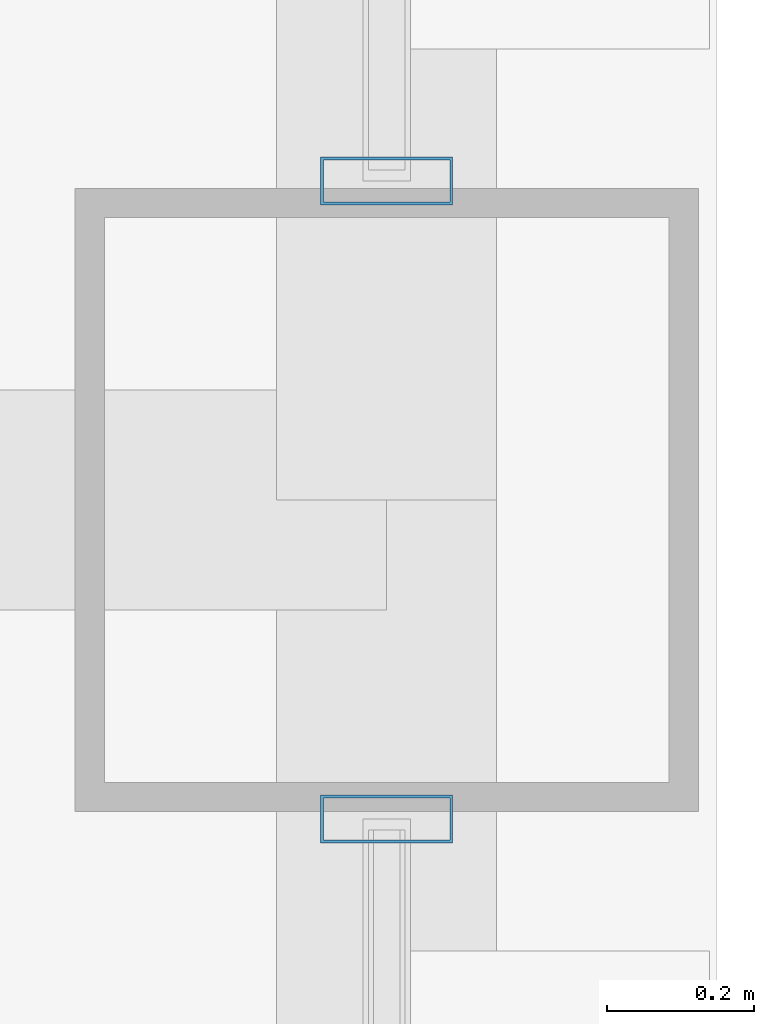
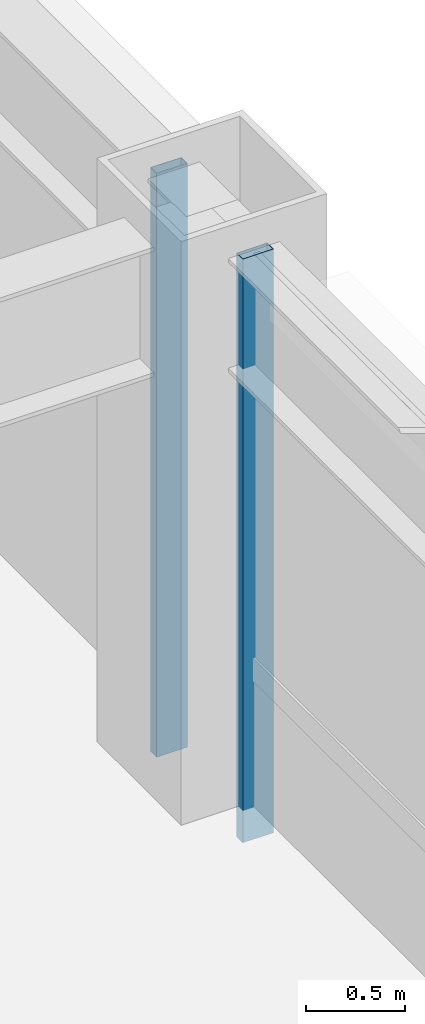
# One storey, part 16 of 28: 2 members, 2 elements without a shape of their own.
"""IFC4 building model written with IfcOpenShell, lengths in metres."""

from ifc_helpers import new_model, si_unit, direction, frame, origin, origin_2d, place, context, subcontext, project, spatial, hollow_rectangle, extrude, material, layer, layer_set, material_profile, profile_set, type_object, element, aggregate, save


model = new_model("IFC4")

# Units and contexts
model_context = context("Model", 3, precision=1e-05, world=origin(), true_north=direction((0.0, 1.0)))
body_context = subcontext(model_context, "Body", "Model", "MODEL_VIEW")
ifc_project = project(units=[si_unit("LENGTHUNIT", "METRE"), si_unit("AREAUNIT", "SQUARE_METRE"), si_unit("VOLUMEUNIT", "CUBIC_METRE"), si_unit("PLANEANGLEUNIT", "RADIAN"), si_unit("MASSUNIT", "GRAM", prefix="KILO")], contexts=[model_context])

# Site, building, storey
site_placement = place(None, origin())
site = spatial("IfcSite", under=ifc_project, at=site_placement, CompositionType="ELEMENT")
building_placement = place(site_placement, origin())
building = spatial("IfcBuilding", under=site, at=building_placement, Name="Brelmoor Portico Tower", CompositionType="ELEMENT")
storey_placement = place(building_placement, frame((0.0, 0.0, 91.800048828125)))
storey = spatial("IfcBuildingStorey", under=building, at=storey_placement, Name="L23", CompositionType="ELEMENT", Elevation=91.800048828125)

# Curtain wall, member
ifc_material = material(Name="Anodised Aluminium Alloy 6063-T6", Category="aluminium")
ifc_layer_1 = layer(ifc_material, 0.179931640625)
ifc_layer_set_1 = layer_set([ifc_layer_1], Name="Anodised Aluminium Alloy 6063-T6")
curtain_wall_type_1 = type_object("IfcCurtainWallType", Name="CW-TOWER-Z2", PredefinedType="NOTDEFINED", material=ifc_layer_set_1)
curtain_wall_1_placement = place(storey_placement, origin())
curtain_wall_1 = element("IfcCurtainWall", 1, at=curtain_wall_1_placement, inside=storey, type_object=curtain_wall_type_1, Name="L23 Curtain Wall CW-L23-04-2b", PredefinedType="NOTDEFINED")
ifc_material_profile = material_profile(ifc_material, hollow_rectangle(XDim=0.06494140625, YDim=0.179931640625, WallThickness=0.00390625, at=origin_2d()), Name="ALU MULLION 65x180")
ifc_profile_set = profile_set([ifc_material_profile], Name="Anodised Aluminium Alloy 6063-T6")
member_type = type_object("IfcMemberType", Name="MB-CW-MULL-180", PredefinedType="MULLION", material=ifc_profile_set)
member_1_placement = place(storey_placement, frame((22.550048828125, 9.31494140625, -0.199951171875), z_axis=(0.0, 0.0, 1.0), x_axis=(0.0, 1.0, 0.0)))
member_1 = element("IfcMember", 2, at=member_1_placement, type_object=member_type, Name="CW-L23-04-2b Mullion 01", PredefinedType="MULLION", context=body_context, shape_type="SweptSolid", body=[
    extrude(hollow_rectangle(XDim=0.06494140625, YDim=0.179931640625, WallThickness=0.00390625, at=origin_2d()), origin(), (0.0, 0.0, 1.0), 3.599853515625),
])
aggregate(curtain_wall_1, [member_1])

ifc_layer_2 = layer(ifc_material, 0.179931640625)
ifc_layer_set_2 = layer_set([ifc_layer_2], Name="Anodised Aluminium Alloy 6063-T6")
curtain_wall_type_2 = type_object("IfcCurtainWallType", Name="CW-TOWER-Z2-XB", PredefinedType="NOTDEFINED", material=ifc_layer_set_2)
curtain_wall_2_placement = place(storey_placement, origin())
curtain_wall_2 = element("IfcCurtainWall", 3, at=curtain_wall_2_placement, inside=storey, type_object=curtain_wall_type_2, Name="L23 Curtain Wall CW-L23-04-3", PredefinedType="NOTDEFINED")
member_2_placement = place(storey_placement, frame((22.550048828125, 10.18505859375, -0.199951171875), z_axis=(0.0, 0.0, 1.0), x_axis=(0.0, 1.0, 0.0)))
member_2 = element("IfcMember", 4, at=member_2_placement, type_object=member_type, Name="CW-L23-04-3 Mullion 00", PredefinedType="MULLION", context=body_context, shape_type="SweptSolid", body=[
    extrude(hollow_rectangle(XDim=0.06494140625, YDim=0.179931640625, WallThickness=0.00390625, at=origin_2d()), origin(), (0.0, 0.0, 1.0), 3.599853515625),
])
aggregate(curtain_wall_2, [member_2])

save(model, "model.ifc")
